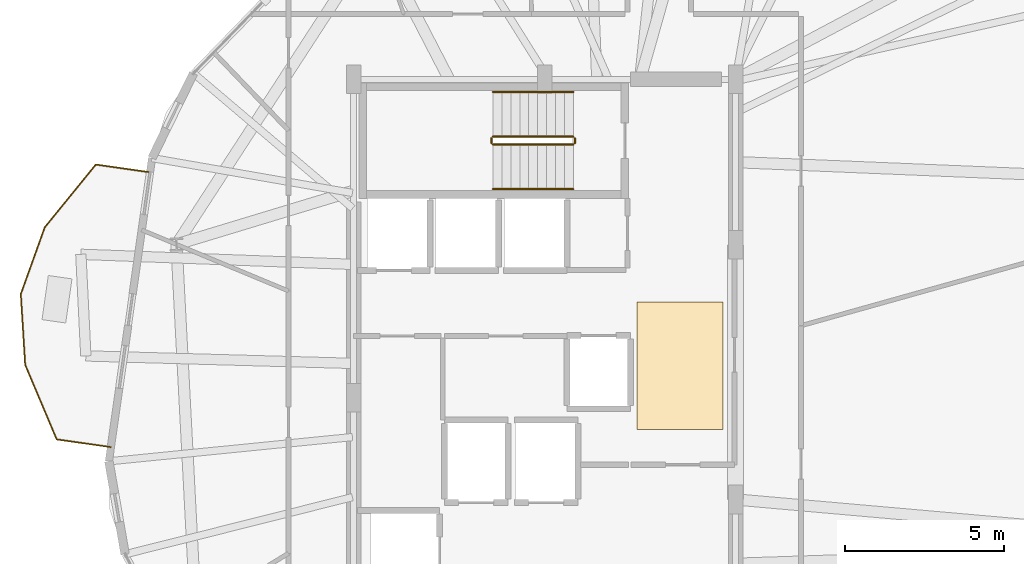
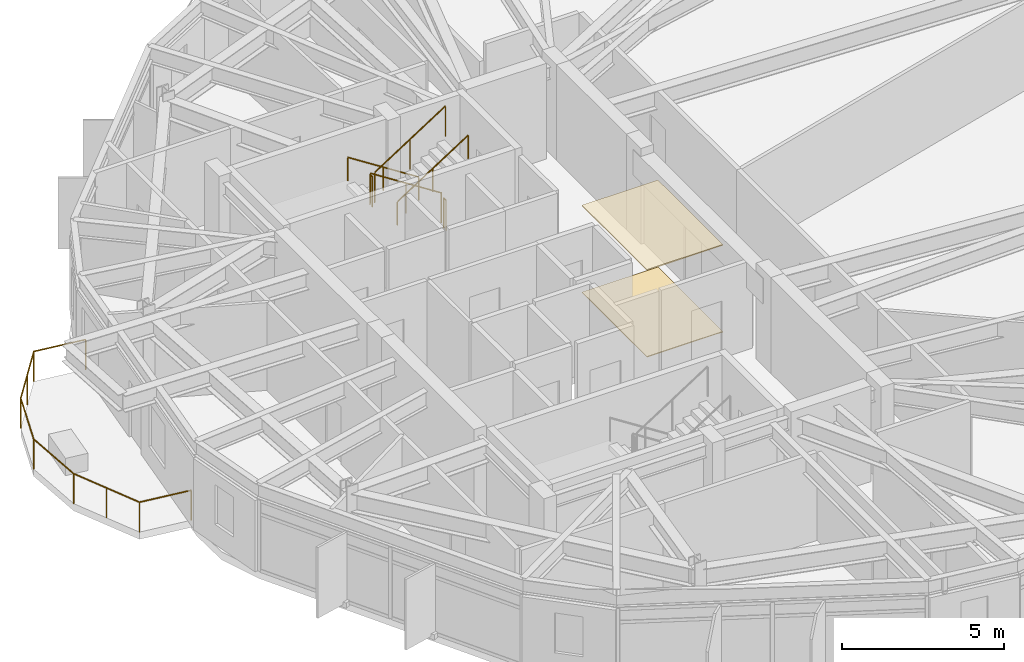
# One storey, part 27 of 28: 7 railings, 2 coverings.
"""IFC4 building model written with IfcOpenShell, lengths in metres."""

from ifc_helpers import new_model, si_unit, direction, frame, origin, origin_2d, place, context, subcontext, project, spatial, polyline, circle, outline, extrude, material, layer, layer_set, type_object, element, save


model = new_model("IFC4")

# Units and contexts
model_context = context("Model", 3, precision=1e-05, world=origin(), true_north=direction((0.0, 1.0)))
body_context = subcontext(model_context, "Body", "Model", "MODEL_VIEW")
ifc_project = project(units=[si_unit("LENGTHUNIT", "METRE"), si_unit("AREAUNIT", "SQUARE_METRE"), si_unit("VOLUMEUNIT", "CUBIC_METRE"), si_unit("PLANEANGLEUNIT", "RADIAN"), si_unit("MASSUNIT", "GRAM", prefix="KILO")], contexts=[model_context])

# Site, building, storey
site_placement = place(None, origin())
site = spatial("IfcSite", under=ifc_project, at=site_placement, CompositionType="ELEMENT")
building_placement = place(site_placement, origin())
building = spatial("IfcBuilding", under=site, at=building_placement, Name="Soratama Intermodal Tower", CompositionType="ELEMENT")
storey_placement = place(building_placement, frame((0.0, 0.0, 201.39990234375)))
storey = spatial("IfcBuildingStorey", under=building, at=storey_placement, Name="L50", CompositionType="ELEMENT", Elevation=201.39990234375)

# Coverings
ifc_material_1 = material(Name="Perforated mineral acoustic ceiling", Category="concrete")
ifc_layer_1 = layer(ifc_material_1, 0.0400390625)
ifc_layer_set_1 = layer_set([ifc_layer_1], Name="Perforated mineral acoustic ceiling")
covering_type_1 = type_object("IfcCoveringType", Name="CV-CEIL-ACOUSTIC", PredefinedType="CEILING", material=ifc_layer_set_1)
covering_1_placement = place(storey_placement, frame((0.0, 0.0, 3.260009765625)))
element("IfcCovering", 1, at=covering_1_placement, inside=storey, type_object=covering_type_1, Name="L50 Acoustic Ceiling", PredefinedType="CEILING", context=body_context, shape_type="SweptSolid", body=[
    extrude(outline(polyline([(41.5, 24.0), (44.199951171875, 24.0), (44.199951171875, 28.0), (41.5, 28.0), (41.5, 24.0)])), origin(), (0.0, 0.0, 1.0), 0.0400390625),
])
ifc_material_2 = material(Name="Polished Andean stone terrazzo flooring", Category="masonry")
ifc_layer_2 = layer(ifc_material_2, 0.030029296875)
ifc_layer_set_2 = layer_set([ifc_layer_2], Name="Polished Andean stone terrazzo flooring")
covering_type_2 = type_object("IfcCoveringType", Name="CV-FLOR-TERRAZZO", PredefinedType="FLOORING", material=ifc_layer_set_2)
covering_2_placement = place(storey_placement, origin())
element("IfcCovering", 2, at=covering_2_placement, inside=storey, type_object=covering_type_2, Name="L50 Lobby Terrazzo Flooring", PredefinedType="FLOORING", context=body_context, shape_type="SweptSolid", body=[
    extrude(outline(polyline([(41.5, 24.0), (44.199951171875, 24.0), (44.199951171875, 28.0), (41.5, 28.0), (41.5, 24.0)])), origin(), (0.0, 0.0, 1.0), 0.030029296875),
])

# Railings
ifc_material_3 = material(Name="Laminated glass and stainless steel balustrade", Category="steel")
railing_type_1 = type_object("IfcRailingType", Name="RL-BAL-1150", PredefinedType="BALUSTRADE", material=ifc_material_3)
railing_1_placement = place(storey_placement, frame((24.97119140625, 23.444580078125, 0.0)))
element("IfcRailing", 3, at=railing_1_placement, inside=storey, type_object=railing_type_1, Name="L50 Balcony Balustrade 3", PredefinedType="BALUSTRADE", context=body_context, shape_type="SweptSolid", body=[
    extrude(circle(Radius=0.02392578125, at=origin_2d()), frame((0.0, 0.0, 1.1259765625), z_axis=(-0.990017509021, 0.140944428166, 0.0), x_axis=(-0.140944428166, -0.990017509021, 0.0)), (0.0, 0.0, 1.0), 1.719970703125),
    extrude(circle(Radius=0.02392578125, at=origin_2d()), frame((-1.702880859375, 0.242431640625, 1.1259765625), z_axis=(-0.389352011082, 0.92108903558, 0.0), x_axis=(-0.92108903558, -0.389352011082, 0.0)), (0.0, 0.0, 1.0), 2.54443359375),
    extrude(circle(Radius=0.02392578125, at=origin_2d()), frame((-2.693603515625, 2.586181640625, 1.1259765625), z_axis=(-0.061613822027, 0.998100063588, 0.0), x_axis=(-0.998100063588, -0.061613822027, 0.0)), (0.0, 0.0, 1.0), 2.226806640625),
    extrude(circle(Radius=0.02392578125, at=origin_2d()), frame((-2.830810546875, 4.808837890625, 1.1259765625), z_axis=(0.337690422529, 0.941257232924, 0.0), x_axis=(-0.941257232924, 0.337690422529, 0.0)), (0.0, 0.0, 1.0), 2.226806640625),
    extrude(circle(Radius=0.02392578125, at=origin_2d()), frame((-2.078857421875, 6.90478515625, 1.1259765625), z_axis=(0.630794864365, 0.775949636955, 0.0), x_axis=(-0.775949636955, 0.630794864365, 0.0)), (0.0, 0.0, 1.0), 2.544677734375),
    extrude(circle(Radius=0.02392578125, at=origin_2d()), frame((-0.4736328125, 8.87939453125, 1.1259765625), z_axis=(0.990014688782, -0.140964236587, 0.0), x_axis=(0.140964236587, 0.990014688782, 0.0)), (0.0, 0.0, 1.0), 1.7197265625),
    extrude(circle(Radius=0.02099609375, at=origin_2d()), origin(), (0.0, 0.0, 1.0), 1.101806640625),
    extrude(circle(Radius=0.02099609375, at=origin_2d()), frame((-1.702880859375, 0.242431640625, 0.0)), (0.0, 0.0, 1.0), 1.101806640625),
    extrude(circle(Radius=0.02099609375, at=origin_2d()), frame((-2.1982421875, 1.414306640625, 0.0)), (0.0, 0.0, 1.0), 1.101806640625),
    extrude(circle(Radius=0.02099609375, at=origin_2d()), frame((-2.693603515625, 2.586181640625, 0.0)), (0.0, 0.0, 1.0), 1.101806640625),
    extrude(circle(Radius=0.02099609375, at=origin_2d()), frame((-2.830810546875, 4.808837890625, 0.0)), (0.0, 0.0, 1.0), 1.101806640625),
    extrude(circle(Radius=0.02099609375, at=origin_2d()), frame((-2.078857421875, 6.90478515625, 0.0)), (0.0, 0.0, 1.0), 1.101806640625),
    extrude(circle(Radius=0.02099609375, at=origin_2d()), frame((-1.2763671875, 7.89208984375, 0.0)), (0.0, 0.0, 1.0), 1.101806640625),
    extrude(circle(Radius=0.02099609375, at=origin_2d()), frame((-0.4736328125, 8.87939453125, 0.0)), (0.0, 0.0, 1.0), 1.101806640625),
    extrude(circle(Radius=0.02099609375, at=origin_2d()), frame((1.22900390625, 8.636962890625, 0.0)), (0.0, 0.0, 1.0), 1.101806640625),
])
ifc_material_4 = material(Name="Painted steel stair guardrail", Category="steel")
railing_type_2 = type_object("IfcRailingType", Name="RL-STAIR-GUARD", PredefinedType="GUARDRAIL", material=ifc_material_4)
railing_2_placement = place(storey_placement, frame((39.5, 33.199951171875, 0.18017578125)))
element("IfcRailing", 4, at=railing_2_placement, inside=storey, type_object=railing_type_2, Name="L50 ST-2 stair guard 1", PredefinedType="GUARDRAIL", context=body_context, shape_type="SweptSolid", body=[
    extrude(circle(Radius=0.02392578125, at=origin_2d()), frame((0.0, 0.0, 1.1259765625), z_axis=(-0.841199657755, 0.0, 0.540724639528), x_axis=(0.0, -1.0, 0.0)), (0.0, 0.0, 1.0), 2.995849609375),
    extrude(circle(Radius=0.02099609375, at=origin_2d()), origin(), (0.0, 0.0, 1.0), 1.101806640625),
    extrude(circle(Radius=0.02099609375, at=origin_2d()), frame((-1.260009765625, 0.0, 0.81005859375)), (0.0, 0.0, 1.0), 1.101806640625),
    extrude(circle(Radius=0.02099609375, at=origin_2d()), frame((-2.52001953125, 0.0, 1.619873046875)), (0.0, 0.0, 1.0), 1.101806640625),
])
railing_3_placement = place(storey_placement, frame((36.929931640625, 33.14990234375, 1.800048828125)))
element("IfcRailing", 5, at=railing_3_placement, inside=storey, type_object=railing_type_2, Name="L50 ST-2 stair guard 2", PredefinedType="GUARDRAIL", context=body_context, shape_type="SweptSolid", body=[
    extrude(circle(Radius=0.02392578125, at=origin_2d()), frame((0.0, 0.0, 1.1259765625), z_axis=(0.0, -1.0, 0.0), x_axis=(1.0, 0.0, 0.0)), (0.0, 0.0, 1.0), 0.14990234375),
    extrude(circle(Radius=0.02099609375, at=origin_2d()), origin(), (0.0, 0.0, 1.0), 1.101806640625),
    extrude(circle(Radius=0.02099609375, at=origin_2d()), frame((0.0, -0.14990234375, 0.0)), (0.0, 0.0, 1.0), 1.101806640625),
])
railing_4_placement = place(storey_placement, frame((36.97998046875, 32.949951171875, 1.97998046875)))
element("IfcRailing", 6, at=railing_4_placement, inside=storey, type_object=railing_type_2, Name="L50 ST-2 stair guard 3", PredefinedType="GUARDRAIL", context=body_context, shape_type="SweptSolid", body=[
    extrude(circle(Radius=0.02392578125, at=origin_2d()), frame((0.0, 0.0, 1.1259765625), z_axis=(0.841162588446, 0.0, 0.540782303519), x_axis=(0.0, 1.0, 0.0)), (0.0, 0.0, 1.0), 2.995849609375),
    extrude(circle(Radius=0.02099609375, at=origin_2d()), origin(), (0.0, 0.0, 1.0), 1.101806640625),
    extrude(circle(Radius=0.02099609375, at=origin_2d()), frame((1.260009765625, 0.0, 0.81005859375)), (0.0, 0.0, 1.0), 1.101806640625),
    extrude(circle(Radius=0.02099609375, at=origin_2d()), frame((2.52001953125, 0.0, 1.6201171875)), (0.0, 0.0, 1.0), 1.101806640625),
])
railing_5_placement = place(storey_placement, frame((39.550048828125, 33.14990234375, 0.0)))
element("IfcRailing", 7, at=railing_5_placement, inside=storey, type_object=railing_type_2, Name="L50 ST-2 stair guard 4", PredefinedType="GUARDRAIL", context=body_context, shape_type="SweptSolid", body=[
    extrude(circle(Radius=0.02392578125, at=origin_2d()), frame((0.0, 0.0, 1.1259765625), z_axis=(0.0, -1.0, 0.0), x_axis=(1.0, 0.0, 0.0)), (0.0, 0.0, 1.0), 0.14990234375),
    extrude(circle(Radius=0.02099609375, at=origin_2d()), origin(), (0.0, 0.0, 1.0), 1.101806640625),
    extrude(circle(Radius=0.02099609375, at=origin_2d()), frame((0.0, -0.14990234375, 0.0)), (0.0, 0.0, 1.0), 1.101806640625),
])
ifc_material_5 = material(Name="Brushed stainless steel handrail", Category="steel")
railing_type_3 = type_object("IfcRailingType", Name="RL-STAIR-HAND", PredefinedType="HANDRAIL", material=ifc_material_5)
railing_6_placement = place(storey_placement, frame((39.5, 34.60009765625, 0.18017578125)))
element("IfcRailing", 8, at=railing_6_placement, inside=storey, type_object=railing_type_3, Name="L50 ST-2 stair handrail 1", PredefinedType="HANDRAIL", context=body_context, shape_type="SweptSolid", body=[
    extrude(circle(Radius=0.02392578125, at=origin_2d()), frame((0.0, 0.0, 0.8759765625), z_axis=(-0.841199657755, 0.0, 0.540724639528), x_axis=(0.0, -1.0, 0.0)), (0.0, 0.0, 1.0), 2.995849609375),
    extrude(circle(Radius=0.02099609375, at=origin_2d()), origin(), (0.0, 0.0, 1.0), 0.851806640625),
    extrude(circle(Radius=0.02099609375, at=origin_2d()), frame((-1.260009765625, 0.0, 0.81005859375)), (0.0, 0.0, 1.0), 0.851806640625),
    extrude(circle(Radius=0.02099609375, at=origin_2d()), frame((-2.52001953125, 0.0, 1.619873046875)), (0.0, 0.0, 1.0), 0.851806640625),
])
railing_7_placement = place(storey_placement, frame((36.97998046875, 31.550048828125, 1.97998046875)))
element("IfcRailing", 9, at=railing_7_placement, inside=storey, type_object=railing_type_3, Name="L50 ST-2 stair handrail 2", PredefinedType="HANDRAIL", context=body_context, shape_type="SweptSolid", body=[
    extrude(circle(Radius=0.02392578125, at=origin_2d()), frame((0.0, 0.0, 0.8759765625), z_axis=(0.841162588446, 0.0, 0.540782303519), x_axis=(0.0, 1.0, 0.0)), (0.0, 0.0, 1.0), 2.995849609375),
    extrude(circle(Radius=0.02099609375, at=origin_2d()), origin(), (0.0, 0.0, 1.0), 0.851806640625),
    extrude(circle(Radius=0.02099609375, at=origin_2d()), frame((1.260009765625, 0.0, 0.81005859375)), (0.0, 0.0, 1.0), 0.851806640625),
    extrude(circle(Radius=0.02099609375, at=origin_2d()), frame((2.52001953125, 0.0, 1.6201171875)), (0.0, 0.0, 1.0), 0.851806640625),
])

save(model, "model.ifc")
